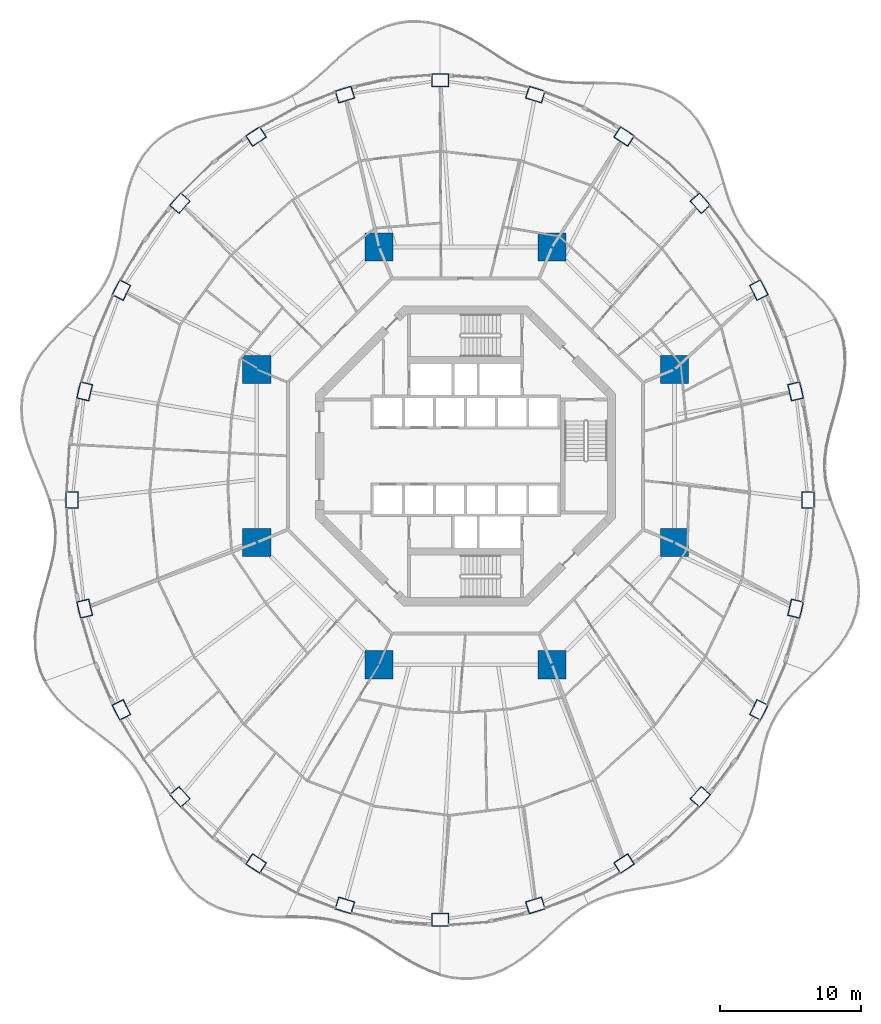
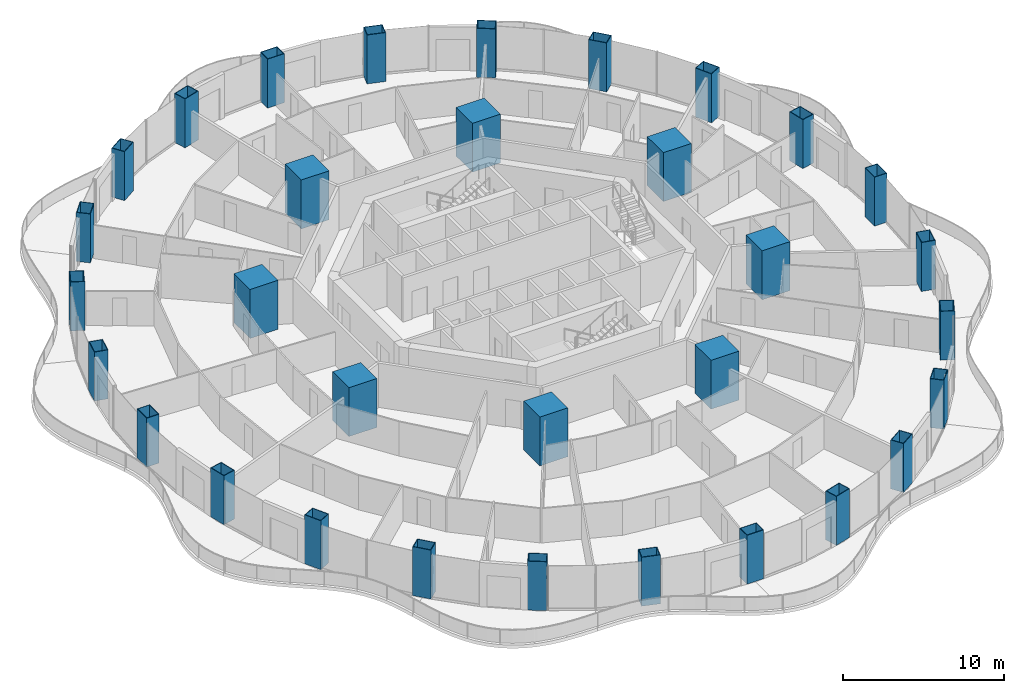
# One storey, part 1 of 21: 32 columns.
"""IFC4 building model written with IfcOpenShell, lengths in metres."""

import ifcopenshell
import ifcopenshell.guid

model = None  # the IFC model being written
_history = None  # IfcOwnerHistory: only IFC2X3 demands one
_inside = {}  # id of a spatial element -> (the spatial element, [elements in it])
_under = {}  # id of a project, library or spatial element -> (it, [spatial elements below it])
_declared = {}  # id of a project -> (the project, [libraries it declares])
_typed = {}  # id of a type object -> (the type object, [elements of that type])
_made_of = {}  # id of a material, layer set ... -> (it, [elements and type objects made of it])


def new_model(schema):
    """Start an empty IFC model of exactly this schema.

    Asked for "IFC4X3", IfcOpenShell would pick the latest addendum, in which some entities
    have other attributes; the version numbers below select the first issue.
    IFC2X3 requires an IfcOwnerHistory on every rooted entity: one is made here for all.
    """
    global model, _history
    if schema == "IFC4X3":
        model = ifcopenshell.file(schema_version=(4, 3, 0, 0))
    else:
        model = ifcopenshell.file(schema=schema)
    _inside.clear()
    _under.clear()
    _declared.clear()
    _typed.clear()
    _made_of.clear()
    _history = None
    if model.schema == "IFC2X3":
        org = make("IfcOrganization", Name="unknown")
        user = make(
            "IfcPersonAndOrganization",
            ThePerson=make("IfcPerson", FamilyName="unknown"),
            TheOrganization=org,
        )
        app = make(
            "IfcApplication",
            ApplicationDeveloper=org,
            Version="unknown",
            ApplicationFullName="unknown",
            ApplicationIdentifier="unknown",
        )
        _history = make(
            "IfcOwnerHistory",
            OwningUser=user,
            OwningApplication=app,
            ChangeAction="ADDED",
            CreationDate=0,
        )
    return model


def make(cls, **values):
    """One entity of the class cls with the attributes given. An attribute that is None is left unset."""
    return model.create_entity(
        cls, **{name: value for name, value in values.items() if value is not None}
    )


def rooted(cls, **values):
    """An entity with a GlobalId (a new one), such as an element, a storey or a relation."""
    return make(cls, GlobalId=ifcopenshell.guid.new(), OwnerHistory=_history, **values)


def si_unit(unit_type, name, prefix=None):
    """IfcSIUnit, for example si_unit("LENGTHUNIT", "METRE", prefix="MILLI")."""
    return make("IfcSIUnit", UnitType=unit_type, Prefix=prefix, Name=name)


def assignment(units):
    """IfcUnitAssignment: the units of a project."""
    return None if units is None else make("IfcUnitAssignment", Units=units)


def point(xyz):
    """IfcCartesianPoint."""
    return None if xyz is None else make("IfcCartesianPoint", Coordinates=xyz)


def direction(xyz):
    """IfcDirection."""
    return None if xyz is None else make("IfcDirection", DirectionRatios=xyz)


def frame(location, z_axis=None, x_axis=None):
    """IfcAxis2Placement3D, a coordinate frame: its origin and axes. An axis left out is left unset."""
    return make(
        "IfcAxis2Placement3D",
        Location=point(location),
        Axis=direction(z_axis),
        RefDirection=direction(x_axis),
    )


def frame_2d(location, x_axis=None):
    """IfcAxis2Placement2D, a coordinate frame in the plane: its origin and x axis."""
    return make(
        "IfcAxis2Placement2D", Location=point(location), RefDirection=direction(x_axis)
    )


def origin():
    """The frame at (0, 0, 0) with its axes left unset."""
    return frame((0.0, 0.0, 0.0))


def origin_2d():
    """The frame at (0, 0) in the plane with its x axis left unset."""
    return frame_2d((0.0, 0.0))


def place(relative_to, where):
    """IfcLocalPlacement: puts the frame where relative to a parent placement (None: the world)."""
    return make(
        "IfcLocalPlacement", PlacementRelTo=relative_to, RelativePlacement=where
    )


def context(
    kind, dimensions, precision=None, world=None, true_north=None, identifier=None
):
    """IfcGeometricRepresentationContext, for example the 3D "Model" context."""
    return make(
        "IfcGeometricRepresentationContext",
        ContextIdentifier=identifier,
        ContextType=kind,
        CoordinateSpaceDimension=dimensions,
        Precision=precision,
        WorldCoordinateSystem=world,
        TrueNorth=true_north,
    )


def subcontext(parent, identifier, kind, view, scale=None):
    """IfcGeometricRepresentationSubContext, for example "Body" below "Model"."""
    return make(
        "IfcGeometricRepresentationSubContext",
        ContextIdentifier=identifier,
        ContextType=kind,
        ParentContext=parent,
        TargetScale=scale,
        TargetView=view,
    )


def project(units=None, contexts=None):
    """IfcProject with its units and contexts."""
    return rooted(
        "IfcProject",
        Name="project",
        RepresentationContexts=contexts,
        UnitsInContext=assignment(units),
    )


def spatial(cls, under=None, at=None, **own):
    """A site, building, storey or space (cls), placed at a placement, below another one or the project."""
    s = rooted(cls, ObjectPlacement=at, **own)
    if under is not None:
        _under.setdefault(under.id(), (under, []))[1].append(s)
    return s


def profile(cls, at=None, kind="AREA", **sizes):
    """A parametric profile (cls). Its sizes go by their IFC names, for example OverallWidth=200.0."""
    return make(cls, ProfileType=kind, Position=at, **sizes)


def rectangle(**sizes):
    """IfcRectangleProfileDef."""
    return profile("IfcRectangleProfileDef", **sizes)


def hollow_rectangle(**sizes):
    """IfcRectangleHollowProfileDef."""
    return profile("IfcRectangleHollowProfileDef", **sizes)


def extrude(swept, where, along, depth):
    """IfcExtrudedAreaSolid: the profile swept, set in the frame where, extruded along a direction by depth."""
    return make(
        "IfcExtrudedAreaSolid",
        SweptArea=swept,
        Position=where,
        ExtrudedDirection=direction(along),
        Depth=depth,
    )


def shape(context_of_items, identifier, shape_type, items):
    """IfcShapeRepresentation: the items that make up one representation, for example the "Body"."""
    return make(
        "IfcShapeRepresentation",
        ContextOfItems=context_of_items,
        RepresentationIdentifier=identifier,
        RepresentationType=shape_type,
        Items=items,
    )


def material(Name=None, Category=None):
    """IfcMaterial."""
    return make("IfcMaterial", Name=Name, Category=Category)


def material_profile(
    of_material, cross_section, Name=None, Category=None, Priority=None
):
    """IfcMaterialProfile: a cross section and its material."""
    return make(
        "IfcMaterialProfile",
        Name=Name,
        Material=of_material,
        Profile=cross_section,
        Priority=Priority,
        Category=Category,
    )


def profile_set(profiles, Name=None, composite=None):
    """IfcMaterialProfileSet."""
    return make(
        "IfcMaterialProfileSet",
        Name=Name,
        MaterialProfiles=profiles,
        CompositeProfile=composite,
    )


def made_of(thing, what):
    """Note that an element or type object is made of a material, layer set ...; save() writes the relation."""
    if what is not None:
        _made_of.setdefault(what.id(), (what, []))[1].append(thing)
    return thing


def type_object(cls, material=None, **own):
    """A type object (cls), such as IfcWallType, which elements share."""
    return made_of(rooted(cls, **own), material)


def element(
    cls,
    number,
    at=None,
    inside=None,
    cuts=None,
    type_object=None,
    material=None,
    context=None,
    identifier="Body",
    shape_type=None,
    held_by="IfcProductDefinitionShape",
    body=None,
    shapes=None,
    **own,
):
    """One element of the class cls, such as IfcWall. Its Tag is "e" and its number.

    at: its placement. inside: the storey or other place that contains it. cuts: it is an
    opening in that element (IfcRelVoidsElement). A single representation is given by context,
    identifier, shape_type and body (its items); several are given by shapes. held_by: the class
    of the entity that holds the representations. save() writes the other relations.
    """
    e = rooted(cls, Tag="e%d" % number, ObjectPlacement=at, **own)
    if body is not None:
        shapes = [shape(context, identifier, shape_type, body)]
    if shapes is not None:
        e.Representation = make(held_by, Representations=shapes)
    if inside is not None:
        _inside.setdefault(inside.id(), (inside, []))[1].append(e)
    if cuts is not None:
        rooted(
            "IfcRelVoidsElement", RelatingBuildingElement=cuts, RelatedOpeningElement=e
        )
    if type_object is not None:
        _typed.setdefault(type_object.id(), (type_object, []))[1].append(e)
    return made_of(e, material)


def aggregate(whole, parts):
    """IfcRelAggregates: a whole, such as a stair, and the parts it consists of."""
    return rooted("IfcRelAggregates", RelatingObject=whole, RelatedObjects=parts)


def save(model, path):
    """Write the relations noted so far, then the file.

    IfcRelAggregates (storeys below a building ...), IfcRelContainedInSpatialStructure (elements
    in a storey), IfcRelDefinesByType, IfcRelAssociatesMaterial and IfcRelDeclares: one each for
    every whole, place, type object, material and project.
    """
    for whole, parts in _under.values():
        aggregate(whole, parts)
    for where, things in _inside.values():
        rooted(
            "IfcRelContainedInSpatialStructure",
            RelatedElements=things,
            RelatingStructure=where,
        )
    for kind, things in _typed.values():
        rooted("IfcRelDefinesByType", RelatedObjects=things, RelatingType=kind)
    for what, things in _made_of.values():
        rooted("IfcRelAssociatesMaterial", RelatedObjects=things, RelatingMaterial=what)
    for by, libraries in _declared.values():
        rooted("IfcRelDeclares", RelatingContext=by, RelatedDefinitions=libraries)
    model.write(path)


model = new_model("IFC4")

# Units and contexts
model_context = context("Model", 3, precision=1e-05, world=origin(), true_north=direction((0.0, 1.0)))
body_context = subcontext(model_context, "Body", "Model", "MODEL_VIEW")
ifc_project = project(units=[si_unit("LENGTHUNIT", "METRE"), si_unit("AREAUNIT", "SQUARE_METRE"), si_unit("VOLUMEUNIT", "CUBIC_METRE"), si_unit("PLANEANGLEUNIT", "RADIAN"), si_unit("MASSUNIT", "GRAM", prefix="KILO")], contexts=[model_context])

# Site, building, storey
site_placement = place(None, origin())
site = spatial("IfcSite", under=ifc_project, at=site_placement, CompositionType="ELEMENT")
building_placement = place(site_placement, origin())
building = spatial("IfcBuilding", under=site, at=building_placement, Name="Nagisa Residences", CompositionType="ELEMENT")
storey_placement = place(building_placement, frame((0.0, 0.0, 156.60009765625)))
storey = spatial("IfcBuildingStorey", under=building, at=storey_placement, Name="L39", CompositionType="ELEMENT", Elevation=156.60009765625)

# Columns
ifc_material_1 = material(Name="Concrete C80", Category="concrete")
ifc_material_profile_1 = material_profile(ifc_material_1, rectangle(XDim=2.0, YDim=2.0, at=origin_2d()), Name="C80 2000x2000")
ifc_profile_set_1 = profile_set([ifc_material_profile_1], Name="Concrete C80")
column_type_1 = type_object("IfcColumnType", Name="Inner megacolumn C80 2000x2000", PredefinedType="COLUMN", material=ifc_profile_set_1)
for number, where, z_axis, x_axis, name in (
    (1, (14.781982421875, 6.123046875, 0.0), (0.0, 0.0, 1.0), (1.0, 0.0, 0.0), "col:L39:i1"),
    (2, (6.123046875, 14.781982421875, 0.0), (0.0, 0.0, 1.0), (1.0, 0.0, 0.0), "col:L39:i2"),
    (3, (-6.123046875, 14.781982421875, 0.0), (0.0, 0.0, 1.0), (1.0, 0.0, 0.0), "col:L39:i3"),
    (4, (-14.781982421875, 6.123046875, 0.0), (0.0, 0.0, 1.0), (1.0, 0.0, 0.0), "col:L39:i4"),
    (5, (-14.781982421875, -6.123046875, 0.0), (0.0, 0.0, 1.0), (1.0, 0.0, 0.0), "col:L39:i5"),
    (6, (-6.123046875, -14.781982421875, 0.0), (0.0, 0.0, 1.0), (1.0, 0.0, 0.0), "col:L39:i6"),
    (7, (6.123046875, -14.781982421875, 0.0), (0.0, 0.0, 1.0), (1.0, 0.0, 0.0), "col:L39:i7"),
    (8, (14.781982421875, -6.123046875, 0.0), (0.0, 0.0, 1.0), (1.0, 0.0, 0.0), "col:L39:i8"),
):
    element("IfcColumn", number, at=place(storey_placement, frame(where, z_axis=z_axis, x_axis=x_axis)), inside=storey, type_object=column_type_1, Name=name, PredefinedType="COLUMN", context=body_context, shape_type="SweptSolid", body=[
        extrude(rectangle(XDim=2.0, YDim=2.0, at=origin_2d()), origin(), (0.0, 0.0, 1.0), 3.699951171875),
    ])
ifc_material_2 = material(Name="Steel ASTM A572 Gr 50", Category="steel")
ifc_material_profile_2 = material_profile(ifc_material_2, hollow_rectangle(XDim=1.199951171875, YDim=0.89990234375, WallThickness=0.0400390625, at=origin_2d()), Name="BX 1200x900x40")
ifc_profile_set_2 = profile_set([ifc_material_profile_2], Name="Steel ASTM A572 Gr 50")
column_type_2 = type_object("IfcColumnType", Name="Perimeter column BX 1200x900x40", PredefinedType="COLUMN", material=ifc_profile_set_2)
for number, where, z_axis, x_axis, name in (
    (9, (24.235107421875, -3.11767578125, 0.0), (0.0, 0.0, 1.0), (0.0, 1.0, 0.0), "col:L39:p00"),
    (10, (23.347900390625, 4.56787109375, 0.0), (0.0, 0.0, 1.0), (-0.229202013103, 0.973378876486, 0.0), "col:L39:p01"),
    (11, (20.7470703125, 11.729736328125, 0.0), (0.0, 0.0, 1.0), (-0.452462697578, 0.891783329795, 0.0), "col:L39:p02"),
    (12, (16.609619140625, 17.8798828125, 0.0), (0.0, 0.0, 1.0), (-0.660114607735, 0.751164898445, 0.0), "col:L39:p03"),
    (13, (11.217529296875, 22.598876953125, 0.0), (0.0, 0.0, 1.0), (-0.835766105673, 0.54908561865, 0.0), "col:L39:p04"),
    (14, (4.938232421875, 25.5654296875, 0.0), (0.0, 0.0, 1.0), (-0.956524583408, 0.291651712384, 0.0), "col:L39:p05"),
    (15, (-1.800048828125, 26.577392578125, 0.0), (0.0, 0.0, 1.0), (-1.0, 0.0, 0.0), "col:L39:p06"),
    (16, (-8.538330078125, 25.5654296875, 0.0), (0.0, 0.0, 1.0), (-0.956524583408, -0.291651712384, 0.0), "col:L39:p07"),
    (17, (-14.8173828125, 22.598876953125, 0.0), (0.0, 0.0, 1.0), (-0.835766105673, -0.54908561865, 0.0), "col:L39:p08"),
    (18, (-20.20947265625, 17.8798828125, 0.0), (0.0, 0.0, 1.0), (-0.660114607735, -0.751164898445, 0.0), "col:L39:p09"),
    (19, (-24.346923828125, 11.729736328125, 0.0), (0.0, 0.0, 1.0), (-0.452462697578, -0.891783329795, 0.0), "col:L39:p10"),
    (20, (-26.947998046875, 4.56787109375, 0.0), (0.0, 0.0, 1.0), (-0.229202013103, -0.973378876486, 0.0), "col:L39:p11"),
    (21, (-27.8349609375, -3.11767578125, 0.0), (0.0, 0.0, 1.0), (0.0, -1.0, 0.0), "col:L39:p12"),
    (22, (-26.947998046875, -10.80322265625, 0.0), (0.0, 0.0, 1.0), (0.229202013103, -0.973378876486, 0.0), "col:L39:p13"),
    (23, (-24.346923828125, -17.965087890625, 0.0), (0.0, 0.0, 1.0), (0.452462697578, -0.891783329795, 0.0), "col:L39:p14"),
    (24, (-20.20947265625, -24.115234375, 0.0), (0.0, 0.0, 1.0), (0.660114607735, -0.751164898445, 0.0), "col:L39:p15"),
    (25, (-14.8173828125, -28.834228515625, 0.0), (0.0, 0.0, 1.0), (0.835766105673, -0.54908561865, 0.0), "col:L39:p16"),
    (26, (-8.538330078125, -31.80078125, 0.0), (0.0, 0.0, 1.0), (0.956524583408, -0.291651712384, 0.0), "col:L39:p17"),
    (27, (-1.800048828125, -32.812744140625, 0.0), (0.0, 0.0, 1.0), (1.0, 0.0, 0.0), "col:L39:p18"),
    (28, (4.938232421875, -31.80078125, 0.0), (0.0, 0.0, 1.0), (0.956524583408, 0.291651712384, 0.0), "col:L39:p19"),
    (29, (11.217529296875, -28.834228515625, 0.0), (0.0, 0.0, 1.0), (0.835766105673, 0.54908561865, 0.0), "col:L39:p20"),
    (30, (16.609619140625, -24.115234375, 0.0), (0.0, 0.0, 1.0), (0.660114607735, 0.751164898445, 0.0), "col:L39:p21"),
    (31, (20.7470703125, -17.965087890625, 0.0), (0.0, 0.0, 1.0), (0.452462697578, 0.891783329795, 0.0), "col:L39:p22"),
    (32, (23.347900390625, -10.80322265625, 0.0), (0.0, 0.0, 1.0), (0.229202013103, 0.973378876486, 0.0), "col:L39:p23"),
):
    element("IfcColumn", number, at=place(storey_placement, frame(where, z_axis=z_axis, x_axis=x_axis)), inside=storey, type_object=column_type_2, Name=name, PredefinedType="COLUMN", context=body_context, shape_type="SweptSolid", body=[
        extrude(hollow_rectangle(XDim=1.199951171875, YDim=0.89990234375, WallThickness=0.0400390625, at=origin_2d()), origin(), (0.0, 0.0, 1.0), 3.699951171875),
    ])

save(model, "model.ifc")
